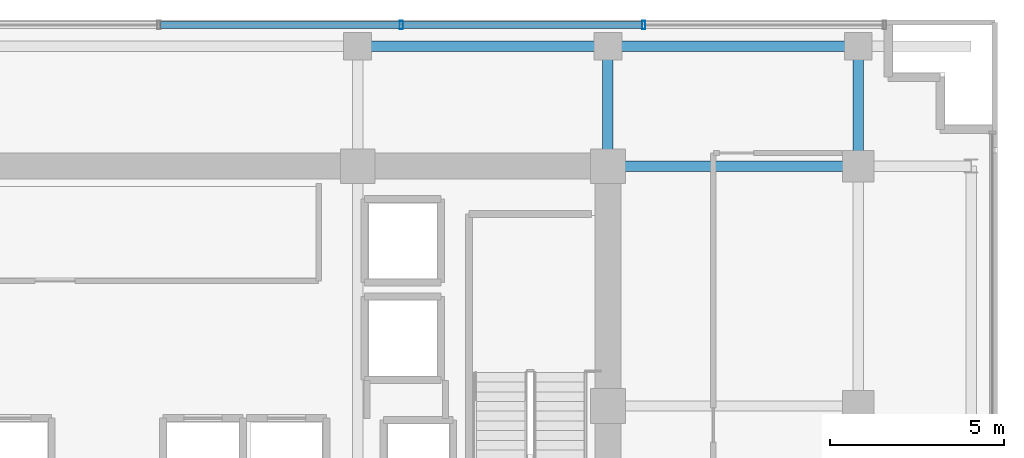
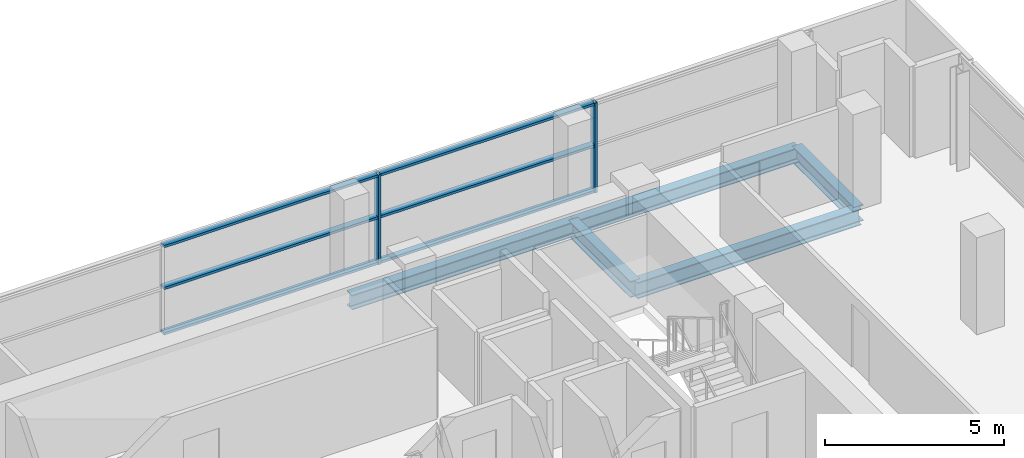
# One storey, part 16 of 27: 8 members, 5 beams, 1 element without a shape of its own.
"""IFC4 building model written with IfcOpenShell, lengths in metres."""

from ifc_helpers import new_model, si_unit, direction, frame, origin, origin_2d, place, context, subcontext, project, spatial, hollow_rectangle, i_section, extrude, source, transform, mapped, material, layer, layer_set, material_profile, profile_set, type_object, element, aggregate, save


model = new_model("IFC4")

# Units and contexts
model_context = context("Model", 3, precision=1e-05, world=origin(), true_north=direction((0.0, 1.0)))
body_context = subcontext(model_context, "Body", "Model", "MODEL_VIEW")
ifc_project = project(units=[si_unit("LENGTHUNIT", "METRE"), si_unit("AREAUNIT", "SQUARE_METRE"), si_unit("VOLUMEUNIT", "CUBIC_METRE"), si_unit("PLANEANGLEUNIT", "RADIAN"), si_unit("MASSUNIT", "GRAM", prefix="KILO")], contexts=[model_context])

# Site, building, storey
site_placement = place(None, origin())
site = spatial("IfcSite", under=ifc_project, at=site_placement, CompositionType="ELEMENT")
building_placement = place(site_placement, origin())
building = spatial("IfcBuilding", under=site, at=building_placement, Name="Zarnakvel Exchange Tower", CompositionType="ELEMENT")
storey_placement = place(building_placement, frame((0.0, 0.0, 106.60009765625)))
storey = spatial("IfcBuildingStorey", under=building, at=storey_placement, Name="L29", CompositionType="ELEMENT", Elevation=106.60009765625)

# Beams
ifc_material_1 = material(Name="Steel S355", Category="steel")
ifc_material_profile_1 = material_profile(ifc_material_1, i_section(OverallWidth=0.300048828125, OverallDepth=0.550048828125, WebThickness=0.014892578125, FlangeThickness=0.029052734375, FilletRadius=0.027099609375, at=origin_2d()))
ifc_profile_set_1 = profile_set([ifc_material_profile_1], Name="Steel S355")
beam_type_1 = type_object("IfcBeamType", Name="G-05", PredefinedType="BEAM", material=ifc_profile_set_1)
beam_1_placement = place(storey_placement, frame((14.39990234375, 13.5, -0.5), z_axis=(1.0, 0.0, 0.0), x_axis=(0.0, 1.0, 0.0)))
element("IfcBeam", 1, at=beam_1_placement, inside=storey, type_object=beam_type_1, Name="L29 Tower E-W Frame Beam", PredefinedType="BEAM", context=body_context, shape_type="SweptSolid", body=[
    extrude(i_section(OverallWidth=0.300048828125, OverallDepth=0.550048828125, WebThickness=0.014892578125, FlangeThickness=0.029052734375, FilletRadius=0.027099609375, at=origin_2d()), origin(), (0.0, 0.0, 1.0), 7.2001953125),
])
for number, where, z_axis, x_axis, name in (
    (2, (14.39990234375, 13.5, -0.5), (0.0, 1.0, 0.0), (-1.0, 0.0, 0.0), "L29 Tower N-S Frame Beam"),
    (3, (21.60009765625, 13.5, -0.5), (0.0, 1.0, 0.0), (-1.0, 0.0, 0.0), "L29 Tower N-S Frame Beam"),
):
    element("IfcBeam", number, at=place(storey_placement, frame(where, z_axis=z_axis, x_axis=x_axis)), inside=storey, type_object=beam_type_1, Name=name, PredefinedType="BEAM", context=body_context, shape_type="SweptSolid", body=[
        extrude(i_section(OverallWidth=0.300048828125, OverallDepth=0.550048828125, WebThickness=0.014892578125, FlangeThickness=0.029052734375, FilletRadius=0.027099609375, at=origin_2d()), origin(), (0.0, 0.0, 1.0), 3.449951171875),
    ])
ifc_material_profile_2 = material_profile(ifc_material_1, i_section(OverallWidth=0.300048828125, OverallDepth=0.5, WebThickness=0.014404296875, FlangeThickness=0.028076171875, FilletRadius=0.027099609375, at=origin_2d()))
ifc_profile_set_2 = profile_set([ifc_material_profile_2], Name="Steel S355")
beam_type_2 = type_object("IfcBeamType", Name="SP-02", PredefinedType="SPANDREL", material=ifc_profile_set_2)
beam_2_placement = place(storey_placement, frame((7.199951171875, 16.949951171875, -0.47509765625), z_axis=(1.0, 0.0, 0.0), x_axis=(0.0, 1.0, 0.0)))
element("IfcBeam", 4, at=beam_2_placement, inside=storey, type_object=beam_type_2, Name="L29 Tower E-W Frame Beam", PredefinedType="SPANDREL", context=body_context, shape_type="SweptSolid", body=[
    extrude(i_section(OverallWidth=0.300048828125, OverallDepth=0.5, WebThickness=0.014404296875, FlangeThickness=0.028076171875, FilletRadius=0.027099609375, at=origin_2d()), origin(), (0.0, 0.0, 1.0), 7.199951171875),
])
beam_3_placement = place(storey_placement, frame((14.39990234375, 16.949951171875, -0.47509765625), z_axis=(1.0, 0.0, 0.0), x_axis=(0.0, 1.0, 0.0)))
element("IfcBeam", 5, at=beam_3_placement, inside=storey, type_object=beam_type_2, Name="L29 Tower E-W Frame Beam", PredefinedType="SPANDREL", context=body_context, shape_type="SweptSolid", body=[
    extrude(i_section(OverallWidth=0.300048828125, OverallDepth=0.5, WebThickness=0.014404296875, FlangeThickness=0.028076171875, FilletRadius=0.027099609375, at=origin_2d()), origin(), (0.0, 0.0, 1.0), 7.2001953125),
])

# Curtain wall, members
ifc_material_2 = material(Name="Architectural Bronze Anodised Aluminium", Category="aluminium")
ifc_layer = layer(ifc_material_2, 0.239990234375)
ifc_layer_set = layer_set([ifc_layer], Name="Architectural Bronze Anodised Aluminium")
curtain_wall_type = type_object("IfcCurtainWallType", Name="CW-02", PredefinedType="NOTDEFINED", material=ifc_layer_set)
curtain_wall_placement = place(storey_placement, origin())
curtain_wall = element("IfcCurtainWall", 6, at=curtain_wall_placement, inside=storey, type_object=curtain_wall_type, Name="L29 Curtain Wall CW-L29-N1 (CW-02)", PredefinedType="NOTDEFINED")
ifc_material_profile_3 = material_profile(ifc_material_2, hollow_rectangle(XDim=0.239990234375, YDim=0.090087890625, WallThickness=0.006103515625, at=origin_2d()))
ifc_profile_set_3 = profile_set([ifc_material_profile_3], Name="Architectural Bronze Anodised Aluminium")
member_type_1 = type_object("IfcMemberType", Name="CWM-02", PredefinedType="MULLION", material=ifc_profile_set_3)
shared_shape_1 = source(origin(), body_context, "Body", "SweptSolid", [
    extrude(hollow_rectangle(XDim=0.239990234375, YDim=0.090087890625, WallThickness=0.006103515625, at=origin_2d()), origin(), (0.0, 0.0, 1.0), 3.054931640625),
])
member_1_placement = place(storey_placement, frame((8.45703125, 17.56005859375, 0.0), z_axis=(0.0, 0.0, 1.0), x_axis=(0.0, 1.0, 0.0)))
member_1 = element("IfcMember", 7, at=member_1_placement, type_object=member_type_1, Name="CW-02 mullion 6", PredefinedType="MULLION", context=body_context, shape_type="MappedRepresentation", body=[
    mapped(shared_shape_1, transform((0.0, 0.0, 0.0), x_axis=(1.0, 0.0, 0.0), y_axis=(0.0, 1.0, 0.0), z_axis=(0.0, 0.0, 1.0), scale=1.0)),
])
member_2_placement = place(storey_placement, frame((15.428466796875, 17.56005859375, 0.0), z_axis=(0.0, 0.0, 1.0), x_axis=(0.0, 1.0, 0.0)))
member_2 = element("IfcMember", 8, at=member_2_placement, type_object=member_type_1, Name="CW-02 mullion 7", PredefinedType="MULLION", context=body_context, shape_type="MappedRepresentation", body=[
    mapped(shared_shape_1, transform((0.0, 0.0, 0.0), x_axis=(1.0, 0.0, 0.0), y_axis=(0.0, 1.0, 0.0), z_axis=(0.0, 0.0, 1.0), scale=1.0)),
])
ifc_material_profile_4 = material_profile(ifc_material_2, hollow_rectangle(XDim=0.199951171875, YDim=0.0849609375, WallThickness=0.0048828125, at=origin_2d()))
ifc_profile_set_4 = profile_set([ifc_material_profile_4], Name="Architectural Bronze Anodised Aluminium")
member_type_2 = type_object("IfcMemberType", Name="CWT-02", PredefinedType="USERDEFINED", material=ifc_profile_set_4)
shared_shape_2 = source(origin(), body_context, "Body", "SweptSolid", [
    extrude(hollow_rectangle(XDim=0.199951171875, YDim=0.0849609375, WallThickness=0.0048828125, at=origin_2d()), origin(), (0.0, 0.0, 1.0), 6.88134765625),
])
member_3_placement = place(storey_placement, frame((1.53076171875, 17.56005859375, 0.04248046875), z_axis=(1.0, 0.0, 0.0), x_axis=(0.0, 1.0, 0.0)))
member_3 = element("IfcMember", 9, at=member_3_placement, type_object=member_type_2, Name="CW-02 transom 5.1", ObjectType="TRANSOM", PredefinedType="USERDEFINED", context=body_context, shape_type="MappedRepresentation", body=[
    mapped(shared_shape_2, transform((0.0, 0.0, 0.0), x_axis=(1.0, 0.0, 0.0), y_axis=(0.0, 1.0, 0.0), z_axis=(0.0, 0.0, 1.0), scale=1.0)),
])
member_4_placement = place(storey_placement, frame((1.53076171875, 17.56005859375, 1.588623046875), z_axis=(1.0, 0.0, 0.0), x_axis=(0.0, 1.0, 0.0)))
member_4 = element("IfcMember", 10, at=member_4_placement, type_object=member_type_2, Name="CW-02 transom 5.2", ObjectType="TRANSOM", PredefinedType="USERDEFINED", context=body_context, shape_type="MappedRepresentation", body=[
    mapped(shared_shape_2, transform((0.0, 0.0, 0.0), x_axis=(1.0, 0.0, 0.0), y_axis=(0.0, 1.0, 0.0), z_axis=(0.0, 0.0, 1.0), scale=1.0)),
])
member_5_placement = place(storey_placement, frame((1.53076171875, 17.56005859375, 3.012451171875), z_axis=(1.0, 0.0, 0.0), x_axis=(0.0, 1.0, 0.0)))
member_5 = element("IfcMember", 11, at=member_5_placement, type_object=member_type_2, Name="CW-02 transom 5.3", ObjectType="TRANSOM", PredefinedType="USERDEFINED", context=body_context, shape_type="MappedRepresentation", body=[
    mapped(shared_shape_2, transform((0.0, 0.0, 0.0), x_axis=(1.0, 0.0, 0.0), y_axis=(0.0, 1.0, 0.0), z_axis=(0.0, 0.0, 1.0), scale=1.0)),
])
member_6_placement = place(storey_placement, frame((8.502197265625, 17.56005859375, 0.04248046875), z_axis=(1.0, 0.0, 0.0), x_axis=(0.0, 1.0, 0.0)))
member_6 = element("IfcMember", 12, at=member_6_placement, type_object=member_type_2, Name="CW-02 transom 6.1", ObjectType="TRANSOM", PredefinedType="USERDEFINED", context=body_context, shape_type="MappedRepresentation", body=[
    mapped(shared_shape_2, transform((0.0, 0.0, 0.0), x_axis=(1.0, 0.0, 0.0), y_axis=(0.0, 1.0, 0.0), z_axis=(0.0, 0.0, 1.0), scale=1.0)),
])
member_7_placement = place(storey_placement, frame((8.502197265625, 17.56005859375, 1.588623046875), z_axis=(1.0, 0.0, 0.0), x_axis=(0.0, 1.0, 0.0)))
member_7 = element("IfcMember", 13, at=member_7_placement, type_object=member_type_2, Name="CW-02 transom 6.2", ObjectType="TRANSOM", PredefinedType="USERDEFINED", context=body_context, shape_type="MappedRepresentation", body=[
    mapped(shared_shape_2, transform((0.0, 0.0, 0.0), x_axis=(1.0, 0.0, 0.0), y_axis=(0.0, 1.0, 0.0), z_axis=(0.0, 0.0, 1.0), scale=1.0)),
])
member_8_placement = place(storey_placement, frame((8.502197265625, 17.56005859375, 3.012451171875), z_axis=(1.0, 0.0, 0.0), x_axis=(0.0, 1.0, 0.0)))
member_8 = element("IfcMember", 14, at=member_8_placement, type_object=member_type_2, Name="CW-02 transom 6.3", ObjectType="TRANSOM", PredefinedType="USERDEFINED", context=body_context, shape_type="MappedRepresentation", body=[
    mapped(shared_shape_2, transform((0.0, 0.0, 0.0), x_axis=(1.0, 0.0, 0.0), y_axis=(0.0, 1.0, 0.0), z_axis=(0.0, 0.0, 1.0), scale=1.0)),
])
aggregate(curtain_wall, [member_1, member_2, member_3, member_4, member_5, member_6, member_7, member_8])

save(model, "model.ifc")
